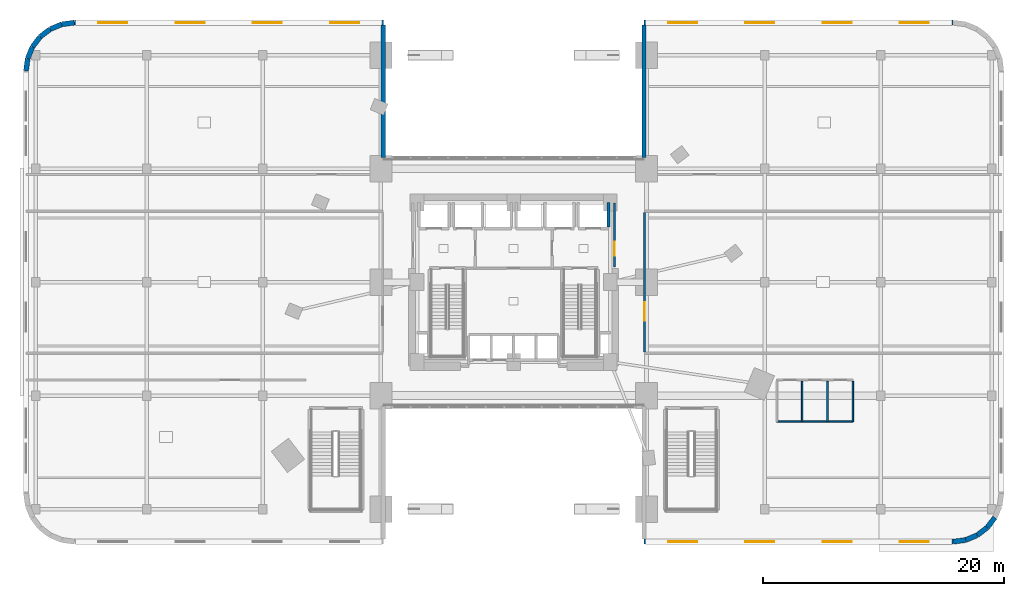
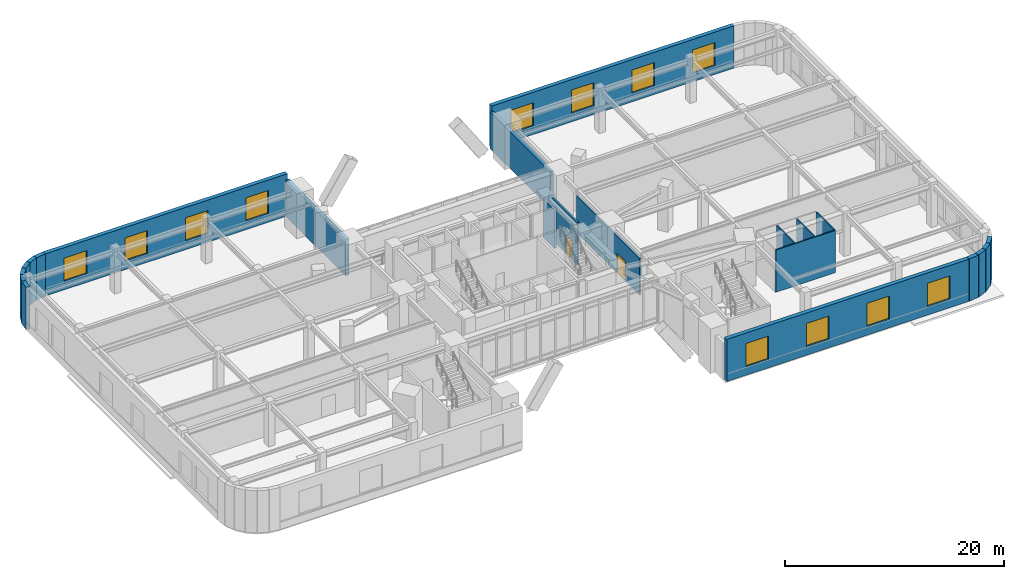
# One storey, part 21 of 26: 22 walls, 12 windows, 2 doors, 14 openings.
"""IFC4 building model written with IfcOpenShell, lengths in metres."""

from ifc_helpers import new_model, si_unit, direction, frame, frame_2d, origin, place, context, subcontext, project, spatial, rectangle, extrude, material, layer, layer_set, type_object, element, fill, save


model = new_model("IFC4")

# Units and contexts
model_context = context("Model", 3, precision=1e-05, world=origin(), true_north=direction((0.0, 1.0)))
body_context = subcontext(model_context, "Body", "Model", "MODEL_VIEW")
ifc_project = project(units=[si_unit("LENGTHUNIT", "METRE"), si_unit("AREAUNIT", "SQUARE_METRE"), si_unit("VOLUMEUNIT", "CUBIC_METRE"), si_unit("PLANEANGLEUNIT", "RADIAN"), si_unit("MASSUNIT", "GRAM", prefix="KILO")], contexts=[model_context])

# Site, building, storey
site_placement = place(None, origin())
site = spatial("IfcSite", under=ifc_project, at=site_placement, CompositionType="ELEMENT")
building_placement = place(site_placement, origin())
building = spatial("IfcBuilding", under=site, at=building_placement, Name="Ndelora Gate Hotel", CompositionType="ELEMENT")
storey_placement = place(building_placement, frame((0.0, 0.0, 6.0)))
storey = spatial("IfcBuildingStorey", under=building, at=storey_placement, Name="L01", CompositionType="ELEMENT", Elevation=6.0)

# Walls
ifc_material_1 = material(Name="Clay Brick Masonry", Category="masonry")
ifc_layer_1 = layer(ifc_material_1, 0.360107421875)
ifc_layer_set_1 = layer_set([ifc_layer_1], Name="Clay Brick Masonry")
wall_type_1 = type_object("IfcWallType", Name="WL-BRICK-360", PredefinedType="SOLIDWALL", material=ifc_layer_set_1)
for number, where, z_axis, x_axis, name in (
    (1, (-10.800048828125, 10.320068359375, 0.0), (0.0, 0.0, 1.0), (0.0, 1.0, 0.0), "L01 Portal Arch Brick Return Wall NW-RET"),
    (2, (10.800048828125, 21.2900390625, 0.0), (0.0, 0.0, 1.0), (0.0, -1.0, 0.0), "L01 Portal Arch Brick Return Wall NE-RET"),
):
    element("IfcWall", number, at=place(storey_placement, frame(where, z_axis=z_axis, x_axis=x_axis)), inside=storey, type_object=wall_type_1, Name=name, PredefinedType="SOLIDWALL", context=body_context, shape_type="SweptSolid", body=[
        extrude(rectangle(XDim=10.969970703125, YDim=0.360107421875, at=frame_2d((5.48486328125, 0.0))), origin(), (0.0, 0.0, 1.0), 4.10009765625),
    ])
ifc_layer_2 = layer(ifc_material_1, 0.419921875)
ifc_layer_set_2 = layer_set([ifc_layer_2], Name="Clay Brick Masonry")
wall_type_2 = type_object("IfcWallType", Name="WL-BRICK-420", PredefinedType="SOLIDWALL", material=ifc_layer_set_2)
wall_1_placement = place(storey_placement, frame((37.435302734375, -21.36376953125, 0.0), z_axis=(0.0, 0.0, 1.0), x_axis=(-0.991455091231, -0.130448465198, 0.0)))
element("IfcWall", 3, at=wall_1_placement, inside=storey, type_object=wall_type_2, Name="L01 Exterior Brick Pier-and-Spandrel Wall 1", PredefinedType="SOLIDWALL", context=body_context, shape_type="SweptSolid", body=[
    extrude(rectangle(XDim=1.04443359375, YDim=0.419921875, at=frame_2d((0.522216796875, 0.0))), origin(), (0.0, 0.0, 1.0), 4.719970703125),
])
wall_2_placement = place(storey_placement, frame((38.39990234375, -20.964111328125, 0.0), z_axis=(0.0, 0.0, 1.0), x_axis=(-0.923842970528, -0.382771688877, 0.0)))
element("IfcWall", 4, at=wall_2_placement, inside=storey, type_object=wall_type_2, Name="L01 Exterior Brick Pier-and-Spandrel Wall 2", PredefinedType="SOLIDWALL", context=body_context, shape_type="SweptSolid", body=[
    extrude(rectangle(XDim=1.044189453125, YDim=0.419921875, at=frame_2d((0.52197265625, 0.0))), origin(), (0.0, 0.0, 1.0), 4.719970703125),
])
wall_3_placement = place(storey_placement, frame((39.228515625, -20.328369140625, 0.0), z_axis=(0.0, 0.0, 1.0), x_axis=(-0.793388088797, -0.608716141198, 0.0)))
element("IfcWall", 5, at=wall_3_placement, inside=storey, type_object=wall_type_2, Name="L01 Exterior Brick Pier-and-Spandrel Wall 3", PredefinedType="SOLIDWALL", context=body_context, shape_type="SweptSolid", body=[
    extrude(rectangle(XDim=1.04443359375, YDim=0.419921875, at=frame_2d((0.522216796875, 0.0))), origin(), (0.0, 0.0, 1.0), 4.719970703125),
])
wall_4_placement = place(storey_placement, frame((39.864013671875, -19.5, 0.0), z_axis=(0.0, 0.0, 1.0), x_axis=(-0.608681879412, -0.793414374508, 0.0)))
element("IfcWall", 6, at=wall_4_placement, inside=storey, type_object=wall_type_2, Name="L01 Exterior Brick Pier-and-Spandrel Wall 4", PredefinedType="SOLIDWALL", context=body_context, shape_type="SweptSolid", body=[
    extrude(rectangle(XDim=1.0439453125, YDim=0.419921875, at=frame_2d((0.52197265625, 0.0))), origin(), (0.0, 0.0, 1.0), 4.719970703125),
])

# Wall, openings, windows
wall_5_placement = place(storey_placement, frame((-36.39990234375, 21.5, 0.0), z_axis=(0.0, 0.0, 1.0), x_axis=(1.0, 0.0, 0.0)))
wall_5 = element("IfcWall", 7, at=wall_5_placement, inside=storey, type_object=wall_type_2, Name="L01 Exterior Brick Pier-and-Spandrel Wall 14", PredefinedType="SOLIDWALL", context=body_context, shape_type="SweptSolid", body=[
    extrude(rectangle(XDim=25.599853515625, YDim=0.419921875, at=frame_2d((12.7998046875, 0.0))), origin(), (0.0, 0.0, 1.0), 4.719970703125),
])
opening_1_placement = place(wall_5_placement, frame((2.0, 0.0, 0.949951171875)))
opening_1 = element("IfcOpeningElement", 8, at=opening_1_placement, cuts=wall_5, Name="Opening W04", PredefinedType="OPENING", context=body_context, shape_type="SweptSolid", body=[
    extrude(rectangle(XDim=2.39990234375, YDim=2.60009765625, at=frame_2d((1.199951171875, 1.300048828125))), frame((0.0, 0.219970703125, 0.0), z_axis=(0.0, -1.0, 0.0), x_axis=(1.0, 0.0, 0.0)), (0.0, 0.0, 1.0), 0.43994140625),
])
opening_2_placement = place(wall_5_placement, frame((8.39990234375, 0.0, 0.949951171875)))
opening_2 = element("IfcOpeningElement", 9, at=opening_2_placement, cuts=wall_5, Name="Opening W04", PredefinedType="OPENING", context=body_context, shape_type="SweptSolid", body=[
    extrude(rectangle(XDim=2.39990234375, YDim=2.60009765625, at=frame_2d((1.199951171875, 1.300048828125))), frame((0.0, 0.219970703125, 0.0), z_axis=(0.0, -1.0, 0.0), x_axis=(1.0, 0.0, 0.0)), (0.0, 0.0, 1.0), 0.43994140625),
])
opening_3_placement = place(wall_5_placement, frame((14.800048828125, 0.0, 0.949951171875)))
opening_3 = element("IfcOpeningElement", 10, at=opening_3_placement, cuts=wall_5, Name="Opening W04", PredefinedType="OPENING", context=body_context, shape_type="SweptSolid", body=[
    extrude(rectangle(XDim=2.39990234375, YDim=2.60009765625, at=frame_2d((1.199951171875, 1.300048828125))), frame((0.0, 0.219970703125, 0.0), z_axis=(0.0, -1.0, 0.0), x_axis=(1.0, 0.0, 0.0)), (0.0, 0.0, 1.0), 0.43994140625),
])
opening_4_placement = place(wall_5_placement, frame((21.199951171875, 0.0, 0.949951171875)))
opening_4 = element("IfcOpeningElement", 11, at=opening_4_placement, cuts=wall_5, Name="Opening W04", PredefinedType="OPENING", context=body_context, shape_type="SweptSolid", body=[
    extrude(rectangle(XDim=2.39990234375, YDim=2.60009765625, at=frame_2d((1.199951171875, 1.300048828125))), frame((0.0, 0.219970703125, 0.0), z_axis=(0.0, -1.0, 0.0), x_axis=(1.0, 0.0, 0.0)), (0.0, 0.0, 1.0), 0.43994140625),
])
ifc_material_2 = material(Name="Insulated Low-E Double Glazing in Bronze Aluminium Frame", Category="aluminium")
window_type = type_object("IfcWindowType", Name="WN-POD-2400", PartitioningType="SINGLE_PANEL", PredefinedType="WINDOW", material=ifc_material_2)
window_1_placement = place(opening_1_placement, origin())
window_1 = element("IfcWindow", 12, at=window_1_placement, inside=storey, type_object=window_type, Name="L01 Deep-Set Podium Brick-Frame Window W04", OverallHeight=2.60009765625, OverallWidth=2.39990234375, PartitioningType="SINGLE_PANEL", PredefinedType="WINDOW", context=body_context, shape_type="SweptSolid", body=[
    extrude(rectangle(XDim=2.39990234375, YDim=2.60009765625, at=frame_2d((1.199951171875, 1.300048828125))), frame((0.0, 0.030029296875, 0.0), z_axis=(0.0, -1.0, 0.0), x_axis=(1.0, 0.0, 0.0)), (0.0, 0.0, 1.0), 0.06005859375),
])
fill(opening_1, window_1)
window_2_placement = place(opening_2_placement, origin())
window_2 = element("IfcWindow", 13, at=window_2_placement, inside=storey, type_object=window_type, Name="L01 Deep-Set Podium Brick-Frame Window W04", OverallHeight=2.60009765625, OverallWidth=2.39990234375, PartitioningType="SINGLE_PANEL", PredefinedType="WINDOW", context=body_context, shape_type="SweptSolid", body=[
    extrude(rectangle(XDim=2.39990234375, YDim=2.60009765625, at=frame_2d((1.199951171875, 1.300048828125))), frame((0.0, 0.030029296875, 0.0), z_axis=(0.0, -1.0, 0.0), x_axis=(1.0, 0.0, 0.0)), (0.0, 0.0, 1.0), 0.06005859375),
])
fill(opening_2, window_2)
window_3_placement = place(opening_3_placement, origin())
window_3 = element("IfcWindow", 14, at=window_3_placement, inside=storey, type_object=window_type, Name="L01 Deep-Set Podium Brick-Frame Window W04", OverallHeight=2.60009765625, OverallWidth=2.39990234375, PartitioningType="SINGLE_PANEL", PredefinedType="WINDOW", context=body_context, shape_type="SweptSolid", body=[
    extrude(rectangle(XDim=2.39990234375, YDim=2.60009765625, at=frame_2d((1.199951171875, 1.300048828125))), frame((0.0, 0.030029296875, 0.0), z_axis=(0.0, -1.0, 0.0), x_axis=(1.0, 0.0, 0.0)), (0.0, 0.0, 1.0), 0.06005859375),
])
fill(opening_3, window_3)
window_4_placement = place(opening_4_placement, origin())
window_4 = element("IfcWindow", 15, at=window_4_placement, inside=storey, type_object=window_type, Name="L01 Deep-Set Podium Brick-Frame Window W04", OverallHeight=2.60009765625, OverallWidth=2.39990234375, PartitioningType="SINGLE_PANEL", PredefinedType="WINDOW", context=body_context, shape_type="SweptSolid", body=[
    extrude(rectangle(XDim=2.39990234375, YDim=2.60009765625, at=frame_2d((1.199951171875, 1.300048828125))), frame((0.0, 0.030029296875, 0.0), z_axis=(0.0, -1.0, 0.0), x_axis=(1.0, 0.0, 0.0)), (0.0, 0.0, 1.0), 0.06005859375),
])
fill(opening_4, window_4)

wall_6_placement = place(storey_placement, frame((10.800048828125, 21.5, 0.0), z_axis=(0.0, 0.0, 1.0), x_axis=(1.0, 0.0, 0.0)))
wall_6 = element("IfcWall", 16, at=wall_6_placement, inside=storey, type_object=wall_type_2, Name="L01 Exterior Brick Pier-and-Spandrel Wall 15", PredefinedType="SOLIDWALL", context=body_context, shape_type="SweptSolid", body=[
    extrude(rectangle(XDim=25.599853515625, YDim=0.419921875, at=frame_2d((12.7998046875, 0.0))), origin(), (0.0, 0.0, 1.0), 4.719970703125),
])
opening_5_placement = place(wall_6_placement, frame((2.0, 0.0, 0.949951171875)))
opening_5 = element("IfcOpeningElement", 17, at=opening_5_placement, cuts=wall_6, Name="Opening W04", PredefinedType="OPENING", context=body_context, shape_type="SweptSolid", body=[
    extrude(rectangle(XDim=2.39990234375, YDim=2.60009765625, at=frame_2d((1.199951171875, 1.300048828125))), frame((0.0, 0.219970703125, 0.0), z_axis=(0.0, -1.0, 0.0), x_axis=(1.0, 0.0, 0.0)), (0.0, 0.0, 1.0), 0.43994140625),
])
opening_6_placement = place(wall_6_placement, frame((8.39990234375, 0.0, 0.949951171875)))
opening_6 = element("IfcOpeningElement", 18, at=opening_6_placement, cuts=wall_6, Name="Opening W04", PredefinedType="OPENING", context=body_context, shape_type="SweptSolid", body=[
    extrude(rectangle(XDim=2.39990234375, YDim=2.60009765625, at=frame_2d((1.199951171875, 1.300048828125))), frame((0.0, 0.219970703125, 0.0), z_axis=(0.0, -1.0, 0.0), x_axis=(1.0, 0.0, 0.0)), (0.0, 0.0, 1.0), 0.43994140625),
])
opening_7_placement = place(wall_6_placement, frame((14.800048828125, 0.0, 0.949951171875)))
opening_7 = element("IfcOpeningElement", 19, at=opening_7_placement, cuts=wall_6, Name="Opening W04", PredefinedType="OPENING", context=body_context, shape_type="SweptSolid", body=[
    extrude(rectangle(XDim=2.39990234375, YDim=2.60009765625, at=frame_2d((1.199951171875, 1.300048828125))), frame((0.0, 0.219970703125, 0.0), z_axis=(0.0, -1.0, 0.0), x_axis=(1.0, 0.0, 0.0)), (0.0, 0.0, 1.0), 0.43994140625),
])
opening_8_placement = place(wall_6_placement, frame((21.199951171875, 0.0, 0.949951171875)))
opening_8 = element("IfcOpeningElement", 20, at=opening_8_placement, cuts=wall_6, Name="Opening W04", PredefinedType="OPENING", context=body_context, shape_type="SweptSolid", body=[
    extrude(rectangle(XDim=2.39990234375, YDim=2.60009765625, at=frame_2d((1.199951171875, 1.300048828125))), frame((0.0, 0.219970703125, 0.0), z_axis=(0.0, -1.0, 0.0), x_axis=(1.0, 0.0, 0.0)), (0.0, 0.0, 1.0), 0.43994140625),
])
window_5_placement = place(opening_5_placement, origin())
window_5 = element("IfcWindow", 21, at=window_5_placement, inside=storey, type_object=window_type, Name="L01 Deep-Set Podium Brick-Frame Window W04", OverallHeight=2.60009765625, OverallWidth=2.39990234375, PartitioningType="SINGLE_PANEL", PredefinedType="WINDOW", context=body_context, shape_type="SweptSolid", body=[
    extrude(rectangle(XDim=2.39990234375, YDim=2.60009765625, at=frame_2d((1.199951171875, 1.300048828125))), frame((0.0, 0.030029296875, 0.0), z_axis=(0.0, -1.0, 0.0), x_axis=(1.0, 0.0, 0.0)), (0.0, 0.0, 1.0), 0.06005859375),
])
fill(opening_5, window_5)
window_6_placement = place(opening_6_placement, origin())
window_6 = element("IfcWindow", 22, at=window_6_placement, inside=storey, type_object=window_type, Name="L01 Deep-Set Podium Brick-Frame Window W04", OverallHeight=2.60009765625, OverallWidth=2.39990234375, PartitioningType="SINGLE_PANEL", PredefinedType="WINDOW", context=body_context, shape_type="SweptSolid", body=[
    extrude(rectangle(XDim=2.39990234375, YDim=2.60009765625, at=frame_2d((1.199951171875, 1.300048828125))), frame((0.0, 0.030029296875, 0.0), z_axis=(0.0, -1.0, 0.0), x_axis=(1.0, 0.0, 0.0)), (0.0, 0.0, 1.0), 0.06005859375),
])
fill(opening_6, window_6)
window_7_placement = place(opening_7_placement, origin())
window_7 = element("IfcWindow", 23, at=window_7_placement, inside=storey, type_object=window_type, Name="L01 Deep-Set Podium Brick-Frame Window W04", OverallHeight=2.60009765625, OverallWidth=2.39990234375, PartitioningType="SINGLE_PANEL", PredefinedType="WINDOW", context=body_context, shape_type="SweptSolid", body=[
    extrude(rectangle(XDim=2.39990234375, YDim=2.60009765625, at=frame_2d((1.199951171875, 1.300048828125))), frame((0.0, 0.030029296875, 0.0), z_axis=(0.0, -1.0, 0.0), x_axis=(1.0, 0.0, 0.0)), (0.0, 0.0, 1.0), 0.06005859375),
])
fill(opening_7, window_7)
window_8_placement = place(opening_8_placement, origin())
window_8 = element("IfcWindow", 24, at=window_8_placement, inside=storey, type_object=window_type, Name="L01 Deep-Set Podium Brick-Frame Window W04", OverallHeight=2.60009765625, OverallWidth=2.39990234375, PartitioningType="SINGLE_PANEL", PredefinedType="WINDOW", context=body_context, shape_type="SweptSolid", body=[
    extrude(rectangle(XDim=2.39990234375, YDim=2.60009765625, at=frame_2d((1.199951171875, 1.300048828125))), frame((0.0, 0.030029296875, 0.0), z_axis=(0.0, -1.0, 0.0), x_axis=(1.0, 0.0, 0.0)), (0.0, 0.0, 1.0), 0.06005859375),
])
fill(opening_8, window_8)

# Walls
wall_7_placement = place(storey_placement, frame((-37.435302734375, 21.36376953125, 0.0), z_axis=(0.0, 0.0, 1.0), x_axis=(0.991455091231, 0.130448465198, 0.0)))
element("IfcWall", 25, at=wall_7_placement, inside=storey, type_object=wall_type_2, Name="L01 Exterior Brick Pier-and-Spandrel Wall 16", PredefinedType="SOLIDWALL", context=body_context, shape_type="SweptSolid", body=[
    extrude(rectangle(XDim=1.04443359375, YDim=0.419921875, at=frame_2d((0.522216796875, 0.0))), origin(), (0.0, 0.0, 1.0), 4.719970703125),
])
wall_8_placement = place(storey_placement, frame((-38.39990234375, 20.964111328125, 0.0), z_axis=(0.0, 0.0, 1.0), x_axis=(0.923842970528, 0.382771688877, 0.0)))
element("IfcWall", 26, at=wall_8_placement, inside=storey, type_object=wall_type_2, Name="L01 Exterior Brick Pier-and-Spandrel Wall 17", PredefinedType="SOLIDWALL", context=body_context, shape_type="SweptSolid", body=[
    extrude(rectangle(XDim=1.044189453125, YDim=0.419921875, at=frame_2d((0.52197265625, 0.0))), origin(), (0.0, 0.0, 1.0), 4.719970703125),
])
wall_9_placement = place(storey_placement, frame((-39.228515625, 20.328369140625, 0.0), z_axis=(0.0, 0.0, 1.0), x_axis=(0.793388088797, 0.608716141198, 0.0)))
element("IfcWall", 27, at=wall_9_placement, inside=storey, type_object=wall_type_2, Name="L01 Exterior Brick Pier-and-Spandrel Wall 18", PredefinedType="SOLIDWALL", context=body_context, shape_type="SweptSolid", body=[
    extrude(rectangle(XDim=1.04443359375, YDim=0.419921875, at=frame_2d((0.522216796875, 0.0))), origin(), (0.0, 0.0, 1.0), 4.719970703125),
])
wall_10_placement = place(storey_placement, frame((-39.864013671875, 19.5, 0.0), z_axis=(0.0, 0.0, 1.0), x_axis=(0.608681879412, 0.793414374508, 0.0)))
element("IfcWall", 28, at=wall_10_placement, inside=storey, type_object=wall_type_2, Name="L01 Exterior Brick Pier-and-Spandrel Wall 19", PredefinedType="SOLIDWALL", context=body_context, shape_type="SweptSolid", body=[
    extrude(rectangle(XDim=1.0439453125, YDim=0.419921875, at=frame_2d((0.52197265625, 0.0))), origin(), (0.0, 0.0, 1.0), 4.719970703125),
])
wall_11_placement = place(storey_placement, frame((-40.263671875, 18.535400390625, 0.0), z_axis=(0.0, 0.0, 1.0), x_axis=(0.382771688877, 0.923842970528, 0.0)))
element("IfcWall", 29, at=wall_11_placement, inside=storey, type_object=wall_type_2, Name="L01 Exterior Brick Pier-and-Spandrel Wall 20", PredefinedType="SOLIDWALL", context=body_context, shape_type="SweptSolid", body=[
    extrude(rectangle(XDim=1.044189453125, YDim=0.419921875, at=frame_2d((0.52197265625, 0.0))), origin(), (0.0, 0.0, 1.0), 4.719970703125),
])
wall_12_placement = place(storey_placement, frame((-40.39990234375, 17.5, 0.0), z_axis=(0.0, 0.0, 1.0), x_axis=(0.130448465198, 0.991455091231, 0.0)))
element("IfcWall", 30, at=wall_12_placement, inside=storey, type_object=wall_type_2, Name="L01 Exterior Brick Pier-and-Spandrel Wall 21", PredefinedType="SOLIDWALL", context=body_context, shape_type="SweptSolid", body=[
    extrude(rectangle(XDim=1.04443359375, YDim=0.419921875, at=frame_2d((0.522216796875, 0.0))), origin(), (0.0, 0.0, 1.0), 4.719970703125),
])

# Wall, openings, windows
wall_13_placement = place(storey_placement, frame((36.39990234375, -21.5, 0.0), z_axis=(0.0, 0.0, 1.0), x_axis=(-1.0, 0.0, 0.0)))
wall_13 = element("IfcWall", 31, at=wall_13_placement, inside=storey, type_object=wall_type_2, Name="L01 Exterior Brick Pier-and-Spandrel Wall 30", PredefinedType="SOLIDWALL", context=body_context, shape_type="SweptSolid", body=[
    extrude(rectangle(XDim=25.599853515625, YDim=0.419921875, at=frame_2d((12.7998046875, 0.0))), origin(), (0.0, 0.0, 1.0), 4.719970703125),
])
opening_9_placement = place(wall_13_placement, frame((2.0, 0.0, 0.949951171875)))
opening_9 = element("IfcOpeningElement", 32, at=opening_9_placement, cuts=wall_13, Name="Opening W04", PredefinedType="OPENING", context=body_context, shape_type="SweptSolid", body=[
    extrude(rectangle(XDim=2.39990234375, YDim=2.60009765625, at=frame_2d((1.199951171875, 1.300048828125))), frame((0.0, 0.219970703125, 0.0), z_axis=(0.0, -1.0, 0.0), x_axis=(1.0, 0.0, 0.0)), (0.0, 0.0, 1.0), 0.43994140625),
])
opening_10_placement = place(wall_13_placement, frame((8.39990234375, 0.0, 0.949951171875)))
opening_10 = element("IfcOpeningElement", 33, at=opening_10_placement, cuts=wall_13, Name="Opening W04", PredefinedType="OPENING", context=body_context, shape_type="SweptSolid", body=[
    extrude(rectangle(XDim=2.39990234375, YDim=2.60009765625, at=frame_2d((1.199951171875, 1.300048828125))), frame((0.0, 0.219970703125, 0.0), z_axis=(0.0, -1.0, 0.0), x_axis=(1.0, 0.0, 0.0)), (0.0, 0.0, 1.0), 0.43994140625),
])
opening_11_placement = place(wall_13_placement, frame((14.800048828125, 0.0, 0.949951171875)))
opening_11 = element("IfcOpeningElement", 34, at=opening_11_placement, cuts=wall_13, Name="Opening W04", PredefinedType="OPENING", context=body_context, shape_type="SweptSolid", body=[
    extrude(rectangle(XDim=2.39990234375, YDim=2.60009765625, at=frame_2d((1.199951171875, 1.300048828125))), frame((0.0, 0.219970703125, 0.0), z_axis=(0.0, -1.0, 0.0), x_axis=(1.0, 0.0, 0.0)), (0.0, 0.0, 1.0), 0.43994140625),
])
opening_12_placement = place(wall_13_placement, frame((21.199951171875, 0.0, 0.949951171875)))
opening_12 = element("IfcOpeningElement", 35, at=opening_12_placement, cuts=wall_13, Name="Opening W04", PredefinedType="OPENING", context=body_context, shape_type="SweptSolid", body=[
    extrude(rectangle(XDim=2.39990234375, YDim=2.60009765625, at=frame_2d((1.199951171875, 1.300048828125))), frame((0.0, 0.219970703125, 0.0), z_axis=(0.0, -1.0, 0.0), x_axis=(1.0, 0.0, 0.0)), (0.0, 0.0, 1.0), 0.43994140625),
])
window_9_placement = place(opening_9_placement, origin())
window_9 = element("IfcWindow", 36, at=window_9_placement, inside=storey, type_object=window_type, Name="L01 Deep-Set Podium Brick-Frame Window W04", OverallHeight=2.60009765625, OverallWidth=2.39990234375, PartitioningType="SINGLE_PANEL", PredefinedType="WINDOW", context=body_context, shape_type="SweptSolid", body=[
    extrude(rectangle(XDim=2.39990234375, YDim=2.60009765625, at=frame_2d((1.199951171875, 1.300048828125))), frame((0.0, 0.030029296875, 0.0), z_axis=(0.0, -1.0, 0.0), x_axis=(1.0, 0.0, 0.0)), (0.0, 0.0, 1.0), 0.06005859375),
])
fill(opening_9, window_9)
window_10_placement = place(opening_10_placement, origin())
window_10 = element("IfcWindow", 37, at=window_10_placement, inside=storey, type_object=window_type, Name="L01 Deep-Set Podium Brick-Frame Window W04", OverallHeight=2.60009765625, OverallWidth=2.39990234375, PartitioningType="SINGLE_PANEL", PredefinedType="WINDOW", context=body_context, shape_type="SweptSolid", body=[
    extrude(rectangle(XDim=2.39990234375, YDim=2.60009765625, at=frame_2d((1.199951171875, 1.300048828125))), frame((0.0, 0.030029296875, 0.0), z_axis=(0.0, -1.0, 0.0), x_axis=(1.0, 0.0, 0.0)), (0.0, 0.0, 1.0), 0.06005859375),
])
fill(opening_10, window_10)
window_11_placement = place(opening_11_placement, origin())
window_11 = element("IfcWindow", 38, at=window_11_placement, inside=storey, type_object=window_type, Name="L01 Deep-Set Podium Brick-Frame Window W04", OverallHeight=2.60009765625, OverallWidth=2.39990234375, PartitioningType="SINGLE_PANEL", PredefinedType="WINDOW", context=body_context, shape_type="SweptSolid", body=[
    extrude(rectangle(XDim=2.39990234375, YDim=2.60009765625, at=frame_2d((1.199951171875, 1.300048828125))), frame((0.0, 0.030029296875, 0.0), z_axis=(0.0, -1.0, 0.0), x_axis=(1.0, 0.0, 0.0)), (0.0, 0.0, 1.0), 0.06005859375),
])
fill(opening_11, window_11)
window_12_placement = place(opening_12_placement, origin())
window_12 = element("IfcWindow", 39, at=window_12_placement, inside=storey, type_object=window_type, Name="L01 Deep-Set Podium Brick-Frame Window W04", OverallHeight=2.60009765625, OverallWidth=2.39990234375, PartitioningType="SINGLE_PANEL", PredefinedType="WINDOW", context=body_context, shape_type="SweptSolid", body=[
    extrude(rectangle(XDim=2.39990234375, YDim=2.60009765625, at=frame_2d((1.199951171875, 1.300048828125))), frame((0.0, 0.030029296875, 0.0), z_axis=(0.0, -1.0, 0.0), x_axis=(1.0, 0.0, 0.0)), (0.0, 0.0, 1.0), 0.06005859375),
])
fill(opening_12, window_12)

# Wall, opening, door
ifc_material_3 = material(Name="Concrete C40/50", Category="concrete")
ifc_layer_3 = layer(ifc_material_3, 0.199951171875)
ifc_layer_set_3 = layer_set([ifc_layer_3], Name="Concrete C40/50")
wall_type_3 = type_object("IfcWallType", Name="WL-FIRE-200", PredefinedType="PARTITIONING", material=ifc_layer_set_3)
wall_14_placement = place(storey_placement, frame((8.35009765625, 1.25, 0.0), z_axis=(0.0, 0.0, 1.0), x_axis=(0.0, 1.0, 0.0)))
wall_14 = element("IfcWall", 40, at=wall_14_placement, inside=storey, type_object=wall_type_3, Name="L01 Interior Wall IW-2", PredefinedType="PARTITIONING", context=body_context, shape_type="SweptSolid", body=[
    extrude(rectangle(XDim=5.300048828125, YDim=0.199951171875, at=frame_2d((2.64990234375, 0.0))), origin(), (0.0, 0.0, 1.0), 4.719970703125),
])
opening_13_placement = place(wall_14_placement, frame((0.949951171875, 0.0, 0.0)))
opening_13 = element("IfcOpeningElement", 41, at=opening_13_placement, cuts=wall_14, Name="Opening FD1", PredefinedType="OPENING", context=body_context, shape_type="SweptSolid", body=[
    extrude(rectangle(XDim=1.14990234375, YDim=2.14990234375, at=frame_2d((0.574951171875, 1.074951171875))), frame((0.0, 0.10986328125, 0.0), z_axis=(0.0, -1.0, 0.0), x_axis=(1.0, 0.0, 0.0)), (0.0, 0.0, 1.0), 0.219970703125),
])
ifc_material_4 = material(Name="Fire-Rated Timber-Veneer Steel Core", Category="steel")
door_type_1 = type_object("IfcDoorType", Name="DR-FD60", OperationType="SINGLE_SWING_LEFT", PredefinedType="DOOR", material=ifc_material_4)
door_1_placement = place(opening_13_placement, origin())
door_1 = element("IfcDoor", 42, at=door_1_placement, inside=storey, type_object=door_type_1, Name="L01 Firefighting Lobby East Corridor Door", OperationType="SINGLE_SWING_RIGHT", OverallHeight=2.14990234375, OverallWidth=1.14990234375, PredefinedType="DOOR", context=body_context, shape_type="SweptSolid", body=[
    extrude(rectangle(XDim=1.14990234375, YDim=2.14990234375, at=frame_2d((0.574951171875, 1.074951171875))), frame((0.0, 0.02490234375, 0.0), z_axis=(0.0, -1.0, 0.0), x_axis=(1.0, 0.0, 0.0)), (0.0, 0.0, 1.0), 0.050048828125),
])
fill(opening_13, door_1)

ifc_material_5 = material(Name="Fire-Rated Gypsum Stud Partition", Category="gypsum")
ifc_layer_4 = layer(ifc_material_5, 0.159912109375)
ifc_layer_set_4 = layer_set([ifc_layer_4], Name="Fire-Rated Gypsum Stud Partition")
wall_type_4 = type_object("IfcWallType", Name="WL-PART-160", PredefinedType="PARTITIONING", material=ifc_layer_set_4)
wall_15_placement = place(storey_placement, frame((10.85009765625, 5.780029296875, 0.0), z_axis=(0.0, 0.0, 1.0), x_axis=(0.0, -1.0, 0.0)))
wall_15 = element("IfcWall", 43, at=wall_15_placement, inside=storey, type_object=wall_type_4, Name="L01 Interior Wall IW-4", PredefinedType="PARTITIONING", context=body_context, shape_type="SweptSolid", body=[
    extrude(rectangle(XDim=11.56005859375, YDim=0.159912109375, at=frame_2d((5.780029296875, 0.0))), origin(), (0.0, 0.0, 1.0), 4.10009765625),
])
opening_14_placement = place(wall_15_placement, frame((7.4599609375, 0.0, 0.0)))
opening_14 = element("IfcOpeningElement", 44, at=opening_14_placement, cuts=wall_15, Name="Opening D06", PredefinedType="OPENING", context=body_context, shape_type="SweptSolid", body=[
    extrude(rectangle(XDim=1.5, YDim=2.199951171875, at=frame_2d((0.75, 1.10009765625))), frame((0.0, 0.08984375, 0.0), z_axis=(0.0, -1.0, 0.0), x_axis=(1.0, 0.0, 0.0)), (0.0, 0.0, 1.0), 0.179931640625),
])
ifc_material_6 = material(Name="Podium Salon Double Leaf Door", Category="wood")
door_type_2 = type_object("IfcDoorType", Name="DR-POD-1500", OperationType="DOUBLE_DOOR_SINGLE_SWING", PredefinedType="DOOR", material=ifc_material_6)
door_2_placement = place(opening_14_placement, origin())
door_2 = element("IfcDoor", 45, at=door_2_placement, inside=storey, type_object=door_type_2, Name="L01 East Mezzanine Dining Hall Door", OperationType="DOUBLE_DOOR_SINGLE_SWING", OverallHeight=2.199951171875, OverallWidth=1.5, PredefinedType="DOOR", context=body_context, shape_type="SweptSolid", body=[
    extrude(rectangle(XDim=1.5, YDim=2.199951171875, at=frame_2d((0.75, 1.10009765625))), frame((0.0, 0.02490234375, 0.0), z_axis=(0.0, -1.0, 0.0), x_axis=(1.0, 0.0, 0.0)), (0.0, 0.0, 1.0), 0.050048828125),
])
fill(opening_14, door_2)

# Walls
ifc_layer_5 = layer(ifc_material_3, 0.219970703125)
ifc_layer_set_5 = layer_set([ifc_layer_5], Name="Concrete C40/50")
wall_type_5 = type_object("IfcWallType", Name="WL-SHAFT-220", PredefinedType="PARTITIONING", material=ifc_layer_set_5)
wall_16_placement = place(storey_placement, frame((7.85009765625, 4.570068359375, 0.0), z_axis=(0.0, 0.0, 1.0), x_axis=(0.0, 1.0, 0.0)))
element("IfcWall", 46, at=wall_16_placement, inside=storey, type_object=wall_type_5, Name="L01 Interior Wall IW-1", PredefinedType="PARTITIONING", context=body_context, shape_type="SweptSolid", body=[
    extrude(rectangle(XDim=2.030029296875, YDim=0.219970703125, at=frame_2d((1.01513671875, 0.0))), origin(), (0.0, 0.0, 1.0), 4.300048828125),
])
ifc_material_7 = material(Name="Moisture-Resistant Fire-Rated Tile Partition", Category="gypsum")
ifc_layer_6 = layer(ifc_material_7, 0.1298828125)
ifc_layer_set_6 = layer_set([ifc_layer_6], Name="Moisture-Resistant Fire-Rated Tile Partition")
wall_type_6 = type_object("IfcWallType", Name="WL-WET-RATED", PredefinedType="PARTITIONING", material=ifc_layer_set_6)
for number, where, z_axis, x_axis, name in (
    (47, (23.89990234375, -11.550048828125, 0.0), (0.0, 0.0, 1.0), (0.0, 1.0, 0.0), "L01 Interior Wall IW-6"),
    (48, (26.0, -11.550048828125, 0.0), (0.0, 0.0, 1.0), (0.0, 1.0, 0.0), "L01 Interior Wall IW-6"),
    (49, (28.10009765625, -11.550048828125, 0.0), (0.0, 0.0, 1.0), (0.0, 1.0, 0.0), "L01 Interior Wall IW-6"),
):
    element("IfcWall", number, at=place(storey_placement, frame(where, z_axis=z_axis, x_axis=x_axis)), inside=storey, type_object=wall_type_6, Name=name, PredefinedType="PARTITIONING", context=body_context, shape_type="SweptSolid", body=[
        extrude(rectangle(XDim=3.340087890625, YDim=0.1298828125, at=frame_2d((1.669921875, 0.0))), origin(), (0.0, 0.0, 1.0), 4.719970703125),
    ])
wall_17_placement = place(storey_placement, frame((21.800048828125, -11.550048828125, 0.0), z_axis=(0.0, 0.0, 1.0), x_axis=(1.0, 0.0, 0.0)))
element("IfcWall", 50, at=wall_17_placement, inside=storey, type_object=wall_type_6, Name="L01 Interior Wall IW-6", PredefinedType="PARTITIONING", context=body_context, shape_type="SweptSolid", body=[
    extrude(rectangle(XDim=6.300048828125, YDim=0.1298828125, at=frame_2d((3.14990234375, 0.0))), origin(), (0.0, 0.0, 1.0), 4.719970703125),
])

save(model, "model.ifc")
